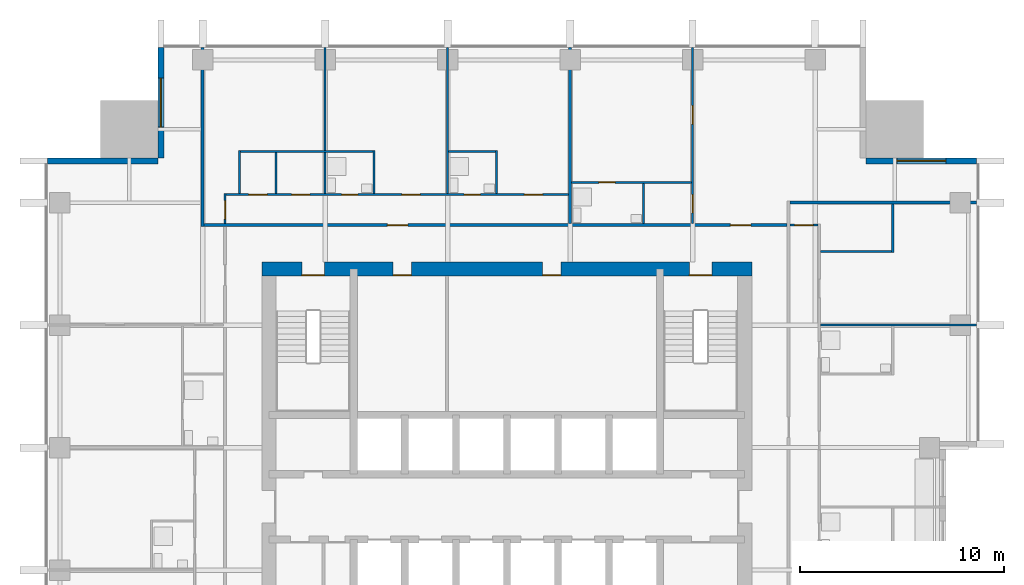
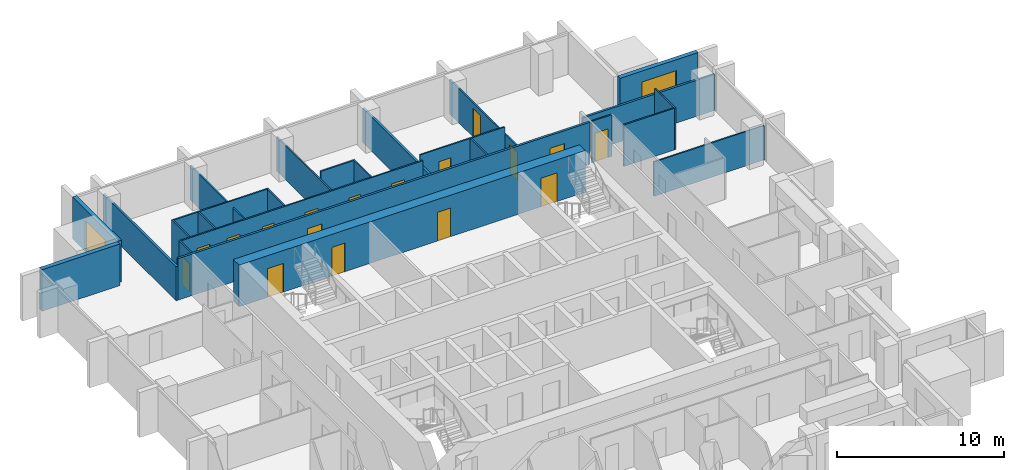
# One storey, part 7 of 10: 25 walls, 17 doors, 2 windows, 19 openings.
"""IFC4 building model written with IfcOpenShell, lengths in metres."""

from ifc_helpers import new_model, si_unit, direction, frame, frame_2d, origin, place, context, subcontext, project, spatial, rectangle, extrude, material, layer, layer_set, type_object, element, fill, save


model = new_model("IFC4")

# Units and contexts
model_context = context("Model", 3, precision=1e-05, world=origin(), true_north=direction((0.0, 1.0)))
body_context = subcontext(model_context, "Body", "Model", "MODEL_VIEW")
ifc_project = project(units=[si_unit("LENGTHUNIT", "METRE"), si_unit("AREAUNIT", "SQUARE_METRE"), si_unit("VOLUMEUNIT", "CUBIC_METRE"), si_unit("PLANEANGLEUNIT", "RADIAN"), si_unit("MASSUNIT", "GRAM", prefix="KILO")], contexts=[model_context])

# Site, building, storey
site_placement = place(None, origin())
site = spatial("IfcSite", under=ifc_project, at=site_placement, CompositionType="ELEMENT")
building_placement = place(site_placement, origin())
building = spatial("IfcBuilding", under=site, at=building_placement, Name="Amberfall Residences", CompositionType="ELEMENT")
storey_placement = place(building_placement, frame((0.0, 0.0, 140.5)))
storey = spatial("IfcBuildingStorey", under=building, at=storey_placement, Name="L37", CompositionType="ELEMENT", Elevation=140.5)

# Wall, opening, window
ifc_material_1 = material(Name="Pale stone cladding on insulated backing", Category="masonry")
ifc_layer_1 = layer(ifc_material_1, 0.300048828125)
ifc_layer_set_1 = layer_set([ifc_layer_1], Name="Bronze clad wall 300")
wall_type_1 = type_object("IfcWallType", Name="Bronze clad wall 300", PredefinedType="SOLIDWALL", material=ifc_layer_set_1)
wall_1_placement = place(storey_placement, frame((97.5, 62.449951171875, 0.0), z_axis=(0.0, 0.0, 1.0), x_axis=(-1.0, 0.0, 0.0)))
wall_1 = element("IfcWall", 1, at=wall_1_placement, inside=storey, type_object=wall_type_1, Name="External wall L37 NE", PredefinedType="SOLIDWALL", context=body_context, shape_type="SweptSolid", body=[
    extrude(rectangle(XDim=5.39990234375, YDim=0.300048828125, at=frame_2d((2.699951171875, 0.0))), origin(), (0.0, 0.0, 1.0), 3.050048828125),
])
opening_1_placement = place(wall_1_placement, frame((1.5, 0.0, 0.14990234375)))
opening_1 = element("IfcOpeningElement", 2, at=opening_1_placement, cuts=wall_1, Name="Opening WN5", PredefinedType="OPENING", context=body_context, shape_type="SweptSolid", body=[
    extrude(rectangle(XDim=2.39990234375, YDim=2.10009765625, at=frame_2d((1.199951171875, 1.050048828125))), frame((0.0, 0.159912109375, 0.0), z_axis=(0.0, -1.0, 0.0), x_axis=(1.0, 0.0, 0.0)), (0.0, 0.0, 1.0), 0.320068359375),
])
ifc_material_2 = material(Name="Bronze aluminium framed glazing", Category="aluminium")
window_type = type_object("IfcWindowType", Name="Glazed opening 2400 x 2100 bronze", PartitioningType="DOUBLE_PANEL_VERTICAL", PredefinedType="WINDOW", material=ifc_material_2)
window_1_placement = place(opening_1_placement, origin())
window_1 = element("IfcWindow", 3, at=window_1_placement, inside=storey, type_object=window_type, Name="Window L37 NE", OverallHeight=2.10009765625, OverallWidth=2.39990234375, PartitioningType="DOUBLE_PANEL_VERTICAL", PredefinedType="WINDOW", context=body_context, shape_type="SweptSolid", body=[
    extrude(rectangle(XDim=2.39990234375, YDim=2.10009765625, at=frame_2d((1.199951171875, 1.050048828125))), frame((0.0, 0.030029296875, 0.0), z_axis=(0.0, -1.0, 0.0), x_axis=(1.0, 0.0, 0.0)), (0.0, 0.0, 1.0), 0.06005859375),
])
fill(opening_1, window_1)

wall_2_placement = place(storey_placement, frame((57.550048828125, 68.0, 0.0), z_axis=(0.0, 0.0, 1.0), x_axis=(0.0, -1.0, 0.0)))
wall_2 = element("IfcWall", 4, at=wall_2_placement, inside=storey, type_object=wall_type_1, Name="External wall L37 NW", PredefinedType="SOLIDWALL", context=body_context, shape_type="SweptSolid", body=[
    extrude(rectangle(XDim=5.39990234375, YDim=0.300048828125, at=frame_2d((2.699951171875, 0.0))), origin(), (0.0, 0.0, 1.0), 3.050048828125),
])
opening_2_placement = place(wall_2_placement, frame((1.5, 0.0, 0.14990234375)))
opening_2 = element("IfcOpeningElement", 5, at=opening_2_placement, cuts=wall_2, Name="Opening WN5", PredefinedType="OPENING", context=body_context, shape_type="SweptSolid", body=[
    extrude(rectangle(XDim=2.39990234375, YDim=2.10009765625, at=frame_2d((1.199951171875, 1.050048828125))), frame((0.0, 0.159912109375, 0.0), z_axis=(0.0, -1.0, 0.0), x_axis=(1.0, 0.0, 0.0)), (0.0, 0.0, 1.0), 0.320068359375),
])
window_2_placement = place(opening_2_placement, origin())
window_2 = element("IfcWindow", 6, at=window_2_placement, inside=storey, type_object=window_type, Name="Window L37 NW", OverallHeight=2.10009765625, OverallWidth=2.39990234375, PartitioningType="DOUBLE_PANEL_VERTICAL", PredefinedType="WINDOW", context=body_context, shape_type="SweptSolid", body=[
    extrude(rectangle(XDim=2.39990234375, YDim=2.10009765625, at=frame_2d((1.199951171875, 1.050048828125))), frame((0.0, 0.030029296875, 0.0), z_axis=(0.0, -1.0, 0.0), x_axis=(1.0, 0.0, 0.0)), (0.0, 0.0, 1.0), 0.06005859375),
])
fill(opening_2, window_2)

# Wall
wall_3_placement = place(storey_placement, frame((57.39990234375, 62.449951171875, 0.0), z_axis=(0.0, 0.0, 1.0), x_axis=(-1.0, 0.0, 0.0)))
element("IfcWall", 7, at=wall_3_placement, inside=storey, type_object=wall_type_1, Name="External wall L37 NW", PredefinedType="SOLIDWALL", context=body_context, shape_type="SweptSolid", body=[
    extrude(rectangle(XDim=5.39990234375, YDim=0.300048828125, at=frame_2d((2.699951171875, 0.0))), origin(), (0.0, 0.0, 1.0), 3.050048828125),
])

# Wall, openings, doors
ifc_material_3 = material(Name="Concrete C60", Category="concrete")
ifc_layer_2 = layer(ifc_material_3, 0.699951171875)
ifc_layer_set_2 = layer_set([ifc_layer_2], Name="Core wall 700 C60")
wall_type_2 = type_object("IfcWallType", Name="Core wall 700 C60", PredefinedType="SHEAR", material=ifc_layer_set_2)
wall_4_placement = place(storey_placement, frame((62.5, 57.14990234375, 0.0), z_axis=(0.0, 0.0, 1.0), x_axis=(1.0, 0.0, 0.0)))
wall_4 = element("IfcWall", 8, at=wall_4_placement, inside=storey, type_object=wall_type_2, Name="Core wall RW5 L37 ON", PredefinedType="SHEAR", context=body_context, shape_type="SweptSolid", body=[
    extrude(rectangle(XDim=24.0, YDim=0.699951171875, at=frame_2d((12.0, 0.0))), origin(), (0.0, 0.0, 1.0), 3.050048828125),
])
opening_3_placement = place(wall_4_placement, frame((20.9375, 0.0, 0.0)))
opening_3 = element("IfcOpeningElement", 9, at=opening_3_placement, cuts=wall_4, Name="Opening SD1", PredefinedType="OPENING", context=body_context, shape_type="SweptSolid", body=[
    extrude(rectangle(XDim=1.10009765625, YDim=2.10009765625, at=frame_2d((0.550048828125, 1.050048828125))), frame((0.0, 0.35986328125, 0.0), z_axis=(0.0, -1.0, 0.0), x_axis=(1.0, 0.0, 0.0)), (0.0, 0.0, 1.0), 0.719970703125),
])
opening_4_placement = place(wall_4_placement, frame((1.96240234375, 0.0, 0.0)))
opening_4 = element("IfcOpeningElement", 10, at=opening_4_placement, cuts=wall_4, Name="Opening SD1", PredefinedType="OPENING", context=body_context, shape_type="SweptSolid", body=[
    extrude(rectangle(XDim=1.10009765625, YDim=2.10009765625, at=frame_2d((0.550048828125, 1.050048828125))), frame((0.0, 0.35986328125, 0.0), z_axis=(0.0, -1.0, 0.0), x_axis=(1.0, 0.0, 0.0)), (0.0, 0.0, 1.0), 0.719970703125),
])
opening_5_placement = place(wall_4_placement, frame((6.422607421875, 0.0, 0.0)))
opening_5 = element("IfcOpeningElement", 11, at=opening_5_placement, cuts=wall_4, Name="Opening RD1", PredefinedType="OPENING", context=body_context, shape_type="SweptSolid", body=[
    extrude(rectangle(XDim=0.89990234375, YDim=2.10009765625, at=frame_2d((0.449951171875, 1.050048828125))), frame((0.0, 0.35986328125, 0.0), z_axis=(0.0, -1.0, 0.0), x_axis=(1.0, 0.0, 0.0)), (0.0, 0.0, 1.0), 0.719970703125),
])
opening_6_placement = place(wall_4_placement, frame((13.74755859375, 0.0, 0.0)))
opening_6 = element("IfcOpeningElement", 12, at=opening_6_placement, cuts=wall_4, Name="Opening RD1", PredefinedType="OPENING", context=body_context, shape_type="SweptSolid", body=[
    extrude(rectangle(XDim=0.89990234375, YDim=2.10009765625, at=frame_2d((0.449951171875, 1.050048828125))), frame((0.0, 0.35986328125, 0.0), z_axis=(0.0, -1.0, 0.0), x_axis=(1.0, 0.0, 0.0)), (0.0, 0.0, 1.0), 0.719970703125),
])
ifc_material_4 = material(Name="Steel fire door set", Category="steel")
door_type_1 = type_object("IfcDoorType", Name="Service room door 900 x 2100", OperationType="SINGLE_SWING_LEFT", PredefinedType="DOOR", material=ifc_material_4)
door_1_placement = place(opening_5_placement, origin())
door_1 = element("IfcDoor", 13, at=door_1_placement, inside=storey, type_object=door_type_1, Name="RD1 L37", OperationType="SINGLE_SWING_RIGHT", OverallHeight=2.10009765625, OverallWidth=0.89990234375, PredefinedType="DOOR", context=body_context, shape_type="SweptSolid", body=[
    extrude(rectangle(XDim=0.89990234375, YDim=2.10009765625, at=frame_2d((0.449951171875, 1.050048828125))), frame((0.0, -0.28759765625, 0.0), z_axis=(0.0, -1.0, 0.0), x_axis=(1.0, 0.0, 0.0)), (0.0, 0.0, 1.0), 0.050048828125),
])
fill(opening_5, door_1)
door_2_placement = place(opening_6_placement, origin())
door_2 = element("IfcDoor", 14, at=door_2_placement, inside=storey, type_object=door_type_1, Name="RD1 L37", OperationType="SINGLE_SWING_RIGHT", OverallHeight=2.10009765625, OverallWidth=0.89990234375, PredefinedType="DOOR", context=body_context, shape_type="SweptSolid", body=[
    extrude(rectangle(XDim=0.89990234375, YDim=2.10009765625, at=frame_2d((0.449951171875, 1.050048828125))), frame((0.0, -0.28759765625, 0.0), z_axis=(0.0, -1.0, 0.0), x_axis=(1.0, 0.0, 0.0)), (0.0, 0.0, 1.0), 0.050048828125),
])
fill(opening_6, door_2)
door_type_2 = type_object("IfcDoorType", Name="Stair door 1100 x 2100", OperationType="SINGLE_SWING_LEFT", PredefinedType="DOOR", material=ifc_material_4)
door_3_placement = place(opening_3_placement, origin())
door_3 = element("IfcDoor", 15, at=door_3_placement, inside=storey, type_object=door_type_2, Name="SD1 L37", OperationType="SINGLE_SWING_RIGHT", OverallHeight=2.10009765625, OverallWidth=1.10009765625, PredefinedType="DOOR", context=body_context, shape_type="SweptSolid", body=[
    extrude(rectangle(XDim=1.10009765625, YDim=2.10009765625, at=frame_2d((0.550048828125, 1.050048828125))), frame((0.0, -0.28759765625, 0.0), z_axis=(0.0, -1.0, 0.0), x_axis=(1.0, 0.0, 0.0)), (0.0, 0.0, 1.0), 0.050048828125),
])
fill(opening_3, door_3)
door_4_placement = place(opening_4_placement, origin())
door_4 = element("IfcDoor", 16, at=door_4_placement, inside=storey, type_object=door_type_2, Name="SD1 L37", OperationType="SINGLE_SWING_LEFT", OverallHeight=2.10009765625, OverallWidth=1.10009765625, PredefinedType="DOOR", context=body_context, shape_type="SweptSolid", body=[
    extrude(rectangle(XDim=1.10009765625, YDim=2.10009765625, at=frame_2d((0.550048828125, 1.050048828125))), frame((0.0, -0.28759765625, 0.0), z_axis=(0.0, -1.0, 0.0), x_axis=(1.0, 0.0, 0.0)), (0.0, 0.0, 1.0), 0.050048828125),
])
fill(opening_4, door_4)

# Wall, opening, door
ifc_material_5 = material(Name="Gypsum board on metal stud")
ifc_layer_3 = layer(ifc_material_5, 0.10009765625)
ifc_layer_set_3 = layer_set([ifc_layer_3], Name="Flat partition 100")
wall_type_3 = type_object("IfcWallType", Name="Flat partition 100", PredefinedType="PARTITIONING", material=ifc_layer_set_3)
wall_5_placement = place(storey_placement, frame((60.699951171875, 60.85009765625, 0.0), z_axis=(0.0, 0.0, 1.0), x_axis=(0.0, -1.0, 0.0)))
wall_5 = element("IfcWall", 17, at=wall_5_placement, inside=storey, type_object=wall_type_3, Name="Partition 005", PredefinedType="PARTITIONING", context=body_context, shape_type="SweptSolid", body=[
    extrude(rectangle(XDim=1.47509765625, YDim=0.10009765625, at=frame_2d((0.737548828125, 0.0))), origin(), (0.0, 0.0, 1.0), 3.050048828125),
])
opening_7_placement = place(wall_5_placement, frame((0.35009765625, 0.0, 0.0)))
opening_7 = element("IfcOpeningElement", 18, at=opening_7_placement, cuts=wall_5, Name="Opening D41", PredefinedType="OPENING", context=body_context, shape_type="SweptSolid", body=[
    extrude(rectangle(XDim=0.89990234375, YDim=2.10009765625, at=frame_2d((0.449951171875, 1.050048828125))), frame((0.0, 0.06005859375, 0.0), z_axis=(0.0, -1.0, 0.0), x_axis=(1.0, 0.0, 0.0)), (0.0, 0.0, 1.0), 0.1201171875),
])
ifc_material_6 = material(Name="Timber", Category="wood")
door_type_3 = type_object("IfcDoorType", Name="Internal door 900 x 2100", OperationType="SINGLE_SWING_LEFT", PredefinedType="DOOR", material=ifc_material_6)
door_5_placement = place(opening_7_placement, origin())
door_5 = element("IfcDoor", 19, at=door_5_placement, inside=storey, type_object=door_type_3, Name="Door 3705 living", OperationType="SINGLE_SWING_LEFT", OverallHeight=2.10009765625, OverallWidth=0.89990234375, PredefinedType="DOOR", context=body_context, shape_type="SweptSolid", body=[
    extrude(rectangle(XDim=0.89990234375, YDim=2.10009765625, at=frame_2d((0.449951171875, 1.050048828125))), frame((0.0, 0.02490234375, 0.0), z_axis=(0.0, -1.0, 0.0), x_axis=(1.0, 0.0, 0.0)), (0.0, 0.0, 1.0), 0.050048828125),
])
fill(opening_7, door_5)

# Walls
wall_6_placement = place(storey_placement, frame((61.39990234375, 60.85009765625, 0.0), z_axis=(0.0, 0.0, 1.0), x_axis=(0.0, 1.0, 0.0)))
element("IfcWall", 20, at=wall_6_placement, inside=storey, type_object=wall_type_3, Name="Partition 006", PredefinedType="PARTITIONING", context=body_context, shape_type="SweptSolid", body=[
    extrude(rectangle(XDim=2.099853515625, YDim=0.10009765625, at=frame_2d((1.0498046875, 0.0))), origin(), (0.0, 0.0, 1.0), 3.050048828125),
])
wall_7_placement = place(storey_placement, frame((63.199951171875, 60.85009765625, 0.0), z_axis=(0.0, 0.0, 1.0), x_axis=(0.0, 1.0, 0.0)))
element("IfcWall", 21, at=wall_7_placement, inside=storey, type_object=wall_type_3, Name="Partition 007", PredefinedType="PARTITIONING", context=body_context, shape_type="SweptSolid", body=[
    extrude(rectangle(XDim=2.0, YDim=0.10009765625, at=frame_2d((1.0, 0.0))), origin(), (0.0, 0.0, 1.0), 3.050048828125),
])
wall_8_placement = place(storey_placement, frame((65.60009765625, 60.85009765625, 0.0), z_axis=(0.0, 0.0, 1.0), x_axis=(0.0, 1.0, 0.0)))
element("IfcWall", 22, at=wall_8_placement, inside=storey, type_object=wall_type_3, Name="Partition 009", PredefinedType="PARTITIONING", context=body_context, shape_type="SweptSolid", body=[
    extrude(rectangle(XDim=7.14990234375, YDim=0.10009765625, at=frame_2d((3.574951171875, 0.0))), origin(), (0.0, 0.0, 1.0), 2.51611328125),
])
wall_9_placement = place(storey_placement, frame((68.0, 60.85009765625, 0.0), z_axis=(0.0, 0.0, 1.0), x_axis=(0.0, 1.0, 0.0)))
element("IfcWall", 23, at=wall_9_placement, inside=storey, type_object=wall_type_3, Name="Partition 011", PredefinedType="PARTITIONING", context=body_context, shape_type="SweptSolid", body=[
    extrude(rectangle(XDim=2.099853515625, YDim=0.10009765625, at=frame_2d((1.0498046875, 0.0))), origin(), (0.0, 0.0, 1.0), 3.050048828125),
])
wall_10_placement = place(storey_placement, frame((71.60009765625, 60.85009765625, 0.0), z_axis=(0.0, 0.0, 1.0), x_axis=(0.0, 1.0, 0.0)))
element("IfcWall", 24, at=wall_10_placement, inside=storey, type_object=wall_type_3, Name="Partition 012", PredefinedType="PARTITIONING", context=body_context, shape_type="SweptSolid", body=[
    extrude(rectangle(XDim=7.14990234375, YDim=0.10009765625, at=frame_2d((3.574951171875, 0.0))), origin(), (0.0, 0.0, 1.0), 2.51611328125),
])
wall_11_placement = place(storey_placement, frame((74.0, 60.85009765625, 0.0), z_axis=(0.0, 0.0, 1.0), x_axis=(0.0, 1.0, 0.0)))
element("IfcWall", 25, at=wall_11_placement, inside=storey, type_object=wall_type_3, Name="Partition 013", PredefinedType="PARTITIONING", context=body_context, shape_type="SweptSolid", body=[
    extrude(rectangle(XDim=2.099853515625, YDim=0.10009765625, at=frame_2d((1.0498046875, 0.0))), origin(), (0.0, 0.0, 1.0), 3.050048828125),
])
wall_12_placement = place(storey_placement, frame((81.199951171875, 59.375, 0.0), z_axis=(0.0, 0.0, 1.0), x_axis=(0.0, 1.0, 0.0)))
element("IfcWall", 26, at=wall_12_placement, inside=storey, type_object=wall_type_3, Name="Partition 017", PredefinedType="PARTITIONING", context=body_context, shape_type="SweptSolid", body=[
    extrude(rectangle(XDim=1.97509765625, YDim=0.10009765625, at=frame_2d((0.987548828125, 0.0))), origin(), (0.0, 0.0, 1.0), 3.050048828125),
])

# Wall, openings, doors
wall_13_placement = place(storey_placement, frame((83.60009765625, 59.375, 0.0), z_axis=(0.0, 0.0, 1.0), x_axis=(0.0, 1.0, 0.0)))
wall_13 = element("IfcWall", 27, at=wall_13_placement, inside=storey, type_object=wall_type_3, Name="Partition 018", PredefinedType="PARTITIONING", context=body_context, shape_type="SweptSolid", body=[
    extrude(rectangle(XDim=8.625, YDim=0.10009765625, at=frame_2d((4.3125, 0.0))), origin(), (0.0, 0.0, 1.0), 2.51611328125),
])
opening_8_placement = place(wall_13_placement, frame((0.52490234375, 0.0, 0.0)))
opening_8 = element("IfcOpeningElement", 28, at=opening_8_placement, cuts=wall_13, Name="Opening D41", PredefinedType="OPENING", context=body_context, shape_type="SweptSolid", body=[
    extrude(rectangle(XDim=0.89990234375, YDim=2.10009765625, at=frame_2d((0.449951171875, 1.050048828125))), frame((0.0, 0.06005859375, 0.0), z_axis=(0.0, -1.0, 0.0), x_axis=(1.0, 0.0, 0.0)), (0.0, 0.0, 1.0), 0.1201171875),
])
opening_9_placement = place(wall_13_placement, frame((4.875, 0.0, 0.0)))
opening_9 = element("IfcOpeningElement", 29, at=opening_9_placement, cuts=wall_13, Name="Opening D41", PredefinedType="OPENING", context=body_context, shape_type="SweptSolid", body=[
    extrude(rectangle(XDim=0.89990234375, YDim=2.10009765625, at=frame_2d((0.449951171875, 1.050048828125))), frame((0.0, 0.06005859375, 0.0), z_axis=(0.0, -1.0, 0.0), x_axis=(1.0, 0.0, 0.0)), (0.0, 0.0, 1.0), 0.1201171875),
])
door_6_placement = place(opening_8_placement, origin())
door_6 = element("IfcDoor", 30, at=door_6_placement, inside=storey, type_object=door_type_3, Name="Door 3706 kitchen", OperationType="SINGLE_SWING_LEFT", OverallHeight=2.10009765625, OverallWidth=0.89990234375, PredefinedType="DOOR", context=body_context, shape_type="SweptSolid", body=[
    extrude(rectangle(XDim=0.89990234375, YDim=2.10009765625, at=frame_2d((0.449951171875, 1.050048828125))), frame((0.0, 0.02490234375, 0.0), z_axis=(0.0, -1.0, 0.0), x_axis=(1.0, 0.0, 0.0)), (0.0, 0.0, 1.0), 0.050048828125),
])
fill(opening_8, door_6)
door_7_placement = place(opening_9_placement, origin())
door_7 = element("IfcDoor", 31, at=door_7_placement, inside=storey, type_object=door_type_3, Name="Door 3706 bedroom1", OperationType="SINGLE_SWING_LEFT", OverallHeight=2.10009765625, OverallWidth=0.89990234375, PredefinedType="DOOR", context=body_context, shape_type="SweptSolid", body=[
    extrude(rectangle(XDim=0.89990234375, YDim=2.10009765625, at=frame_2d((0.449951171875, 1.050048828125))), frame((0.0, 0.02490234375, 0.0), z_axis=(0.0, -1.0, 0.0), x_axis=(1.0, 0.0, 0.0)), (0.0, 0.0, 1.0), 0.050048828125),
])
fill(opening_9, door_7)

# Walls
wall_14_placement = place(storey_placement, frame((93.39990234375, 57.949951171875, 0.0), z_axis=(0.0, 0.0, 1.0), x_axis=(0.0, 1.0, 0.0)))
element("IfcWall", 32, at=wall_14_placement, inside=storey, type_object=wall_type_3, Name="Partition 025", PredefinedType="PARTITIONING", context=body_context, shape_type="SweptSolid", body=[
    extrude(rectangle(XDim=2.375, YDim=0.10009765625, at=frame_2d((1.1875, 0.0))), origin(), (0.0, 0.0, 1.0), 3.050048828125),
])
wall_15_placement = place(storey_placement, frame((61.449951171875, 62.89990234375, 0.0), z_axis=(0.0, 0.0, 1.0), x_axis=(1.0, 0.0, 0.0)))
element("IfcWall", 33, at=wall_15_placement, inside=storey, type_object=wall_type_3, Name="Partition 026", PredefinedType="PARTITIONING", context=body_context, shape_type="SweptSolid", body=[
    extrude(rectangle(XDim=6.5, YDim=0.10009765625, at=frame_2d((3.25, 0.0))), origin(), (0.0, 0.0, 1.0), 3.050048828125),
])
wall_16_placement = place(storey_placement, frame((71.64990234375, 62.89990234375, 0.0), z_axis=(0.0, 0.0, 1.0), x_axis=(1.0, 0.0, 0.0)))
element("IfcWall", 34, at=wall_16_placement, inside=storey, type_object=wall_type_3, Name="Partition 027", PredefinedType="PARTITIONING", context=body_context, shape_type="SweptSolid", body=[
    extrude(rectangle(XDim=2.300048828125, YDim=0.10009765625, at=frame_2d((1.14990234375, 0.0))), origin(), (0.0, 0.0, 1.0), 3.050048828125),
])

# Wall, opening, door
wall_17_placement = place(storey_placement, frame((83.550048828125, 61.39990234375, 0.0), z_axis=(0.0, 0.0, 1.0), x_axis=(-1.0, 0.0, 0.0)))
wall_17 = element("IfcWall", 35, at=wall_17_placement, inside=storey, type_object=wall_type_3, Name="Partition 028", PredefinedType="PARTITIONING", context=body_context, shape_type="SweptSolid", body=[
    extrude(rectangle(XDim=5.875, YDim=0.10009765625, at=frame_2d((2.9375, 0.0))), origin(), (0.0, 0.0, 1.0), 3.050048828125),
])
opening_10_placement = place(wall_17_placement, frame((3.75, 0.0, 0.0)))
opening_10 = element("IfcOpeningElement", 36, at=opening_10_placement, cuts=wall_17, Name="Opening D42", PredefinedType="OPENING", context=body_context, shape_type="SweptSolid", body=[
    extrude(rectangle(XDim=0.800048828125, YDim=2.10009765625, at=frame_2d((0.39990234375, 1.050048828125))), frame((0.0, 0.06005859375, 0.0), z_axis=(0.0, -1.0, 0.0), x_axis=(1.0, 0.0, 0.0)), (0.0, 0.0, 1.0), 0.1201171875),
])
door_type_4 = type_object("IfcDoorType", Name="Bathroom door 800 x 2100", OperationType="SINGLE_SWING_LEFT", PredefinedType="DOOR", material=ifc_material_6)
door_8_placement = place(opening_10_placement, origin())
door_8 = element("IfcDoor", 37, at=door_8_placement, inside=storey, type_object=door_type_4, Name="Door 3706 bath1", OperationType="SINGLE_SWING_LEFT", OverallHeight=2.10009765625, OverallWidth=0.800048828125, PredefinedType="DOOR", context=body_context, shape_type="SweptSolid", body=[
    extrude(rectangle(XDim=0.800048828125, YDim=2.10009765625, at=frame_2d((0.39990234375, 1.050048828125))), frame((0.0, 0.02490234375, 0.0), z_axis=(0.0, -1.0, 0.0), x_axis=(1.0, 0.0, 0.0)), (0.0, 0.0, 1.0), 0.050048828125),
])
fill(opening_10, door_8)

# Wall, openings, doors
wall_18_placement = place(storey_placement, frame((60.75, 60.800048828125, 0.0), z_axis=(0.0, 0.0, 1.0), x_axis=(1.0, 0.0, 0.0)))
wall_18 = element("IfcWall", 38, at=wall_18_placement, inside=storey, type_object=wall_type_3, Name="Partition 029", PredefinedType="PARTITIONING", context=body_context, shape_type="SweptSolid", body=[
    extrude(rectangle(XDim=16.77490234375, YDim=0.10009765625, at=frame_2d((8.387451171875, 0.0))), origin(), (0.0, 0.0, 1.0), 3.050048828125),
])
opening_11_placement = place(wall_18_placement, frame((3.199951171875, 0.0, 0.0)))
opening_11 = element("IfcOpeningElement", 39, at=opening_11_placement, cuts=wall_18, Name="Opening D41", PredefinedType="OPENING", context=body_context, shape_type="SweptSolid", body=[
    extrude(rectangle(XDim=0.89990234375, YDim=2.10009765625, at=frame_2d((0.449951171875, 1.050048828125))), frame((0.0, 0.06005859375, 0.0), z_axis=(0.0, -1.0, 0.0), x_axis=(1.0, 0.0, 0.0)), (0.0, 0.0, 1.0), 0.1201171875),
])
opening_12_placement = place(wall_18_placement, frame((1.10009765625, 0.0, 0.0)))
opening_12 = element("IfcOpeningElement", 40, at=opening_12_placement, cuts=wall_18, Name="Opening D41", PredefinedType="OPENING", context=body_context, shape_type="SweptSolid", body=[
    extrude(rectangle(XDim=0.89990234375, YDim=2.10009765625, at=frame_2d((0.449951171875, 1.050048828125))), frame((0.0, 0.06005859375, 0.0), z_axis=(0.0, -1.0, 0.0), x_axis=(1.0, 0.0, 0.0)), (0.0, 0.0, 1.0), 0.1201171875),
])
opening_13_placement = place(wall_18_placement, frame((8.60009765625, 0.0, 0.0)))
opening_13 = element("IfcOpeningElement", 41, at=opening_13_placement, cuts=wall_18, Name="Opening D41", PredefinedType="OPENING", context=body_context, shape_type="SweptSolid", body=[
    extrude(rectangle(XDim=0.89990234375, YDim=2.10009765625, at=frame_2d((0.449951171875, 1.050048828125))), frame((0.0, 0.06005859375, 0.0), z_axis=(0.0, -1.0, 0.0), x_axis=(1.0, 0.0, 0.0)), (0.0, 0.0, 1.0), 0.1201171875),
])
opening_14_placement = place(wall_18_placement, frame((14.60009765625, 0.0, 0.0)))
opening_14 = element("IfcOpeningElement", 42, at=opening_14_placement, cuts=wall_18, Name="Opening D41", PredefinedType="OPENING", context=body_context, shape_type="SweptSolid", body=[
    extrude(rectangle(XDim=0.89990234375, YDim=2.10009765625, at=frame_2d((0.449951171875, 1.050048828125))), frame((0.0, 0.06005859375, 0.0), z_axis=(0.0, -1.0, 0.0), x_axis=(1.0, 0.0, 0.0)), (0.0, 0.0, 1.0), 0.1201171875),
])
opening_15_placement = place(wall_18_placement, frame((5.64990234375, 0.0, 0.0)))
opening_15 = element("IfcOpeningElement", 43, at=opening_15_placement, cuts=wall_18, Name="Opening D42", PredefinedType="OPENING", context=body_context, shape_type="SweptSolid", body=[
    extrude(rectangle(XDim=0.800048828125, YDim=2.10009765625, at=frame_2d((0.39990234375, 1.050048828125))), frame((0.0, 0.06005859375, 0.0), z_axis=(0.0, -1.0, 0.0), x_axis=(1.0, 0.0, 0.0)), (0.0, 0.0, 1.0), 0.1201171875),
])
opening_16_placement = place(wall_18_placement, frame((11.64990234375, 0.0, 0.0)))
opening_16 = element("IfcOpeningElement", 44, at=opening_16_placement, cuts=wall_18, Name="Opening D42", PredefinedType="OPENING", context=body_context, shape_type="SweptSolid", body=[
    extrude(rectangle(XDim=0.800048828125, YDim=2.10009765625, at=frame_2d((0.39990234375, 1.050048828125))), frame((0.0, 0.06005859375, 0.0), z_axis=(0.0, -1.0, 0.0), x_axis=(1.0, 0.0, 0.0)), (0.0, 0.0, 1.0), 0.1201171875),
])
door_9_placement = place(opening_15_placement, origin())
door_9 = element("IfcDoor", 45, at=door_9_placement, inside=storey, type_object=door_type_4, Name="Door 3705 bath1", OperationType="SINGLE_SWING_LEFT", OverallHeight=2.10009765625, OverallWidth=0.800048828125, PredefinedType="DOOR", context=body_context, shape_type="SweptSolid", body=[
    extrude(rectangle(XDim=0.800048828125, YDim=2.10009765625, at=frame_2d((0.39990234375, 1.050048828125))), frame((0.0, 0.02490234375, 0.0), z_axis=(0.0, -1.0, 0.0), x_axis=(1.0, 0.0, 0.0)), (0.0, 0.0, 1.0), 0.050048828125),
])
fill(opening_15, door_9)
door_10_placement = place(opening_16_placement, origin())
door_10 = element("IfcDoor", 46, at=door_10_placement, inside=storey, type_object=door_type_4, Name="Door 3705 bath2", OperationType="SINGLE_SWING_LEFT", OverallHeight=2.10009765625, OverallWidth=0.800048828125, PredefinedType="DOOR", context=body_context, shape_type="SweptSolid", body=[
    extrude(rectangle(XDim=0.800048828125, YDim=2.10009765625, at=frame_2d((0.39990234375, 1.050048828125))), frame((0.0, 0.02490234375, 0.0), z_axis=(0.0, -1.0, 0.0), x_axis=(1.0, 0.0, 0.0)), (0.0, 0.0, 1.0), 0.050048828125),
])
fill(opening_16, door_10)
door_11_placement = place(opening_11_placement, origin())
door_11 = element("IfcDoor", 47, at=door_11_placement, inside=storey, type_object=door_type_3, Name="Door 3705 kitchen", OperationType="SINGLE_SWING_LEFT", OverallHeight=2.10009765625, OverallWidth=0.89990234375, PredefinedType="DOOR", context=body_context, shape_type="SweptSolid", body=[
    extrude(rectangle(XDim=0.89990234375, YDim=2.10009765625, at=frame_2d((0.449951171875, 1.050048828125))), frame((0.0, 0.02490234375, 0.0), z_axis=(0.0, -1.0, 0.0), x_axis=(1.0, 0.0, 0.0)), (0.0, 0.0, 1.0), 0.050048828125),
])
fill(opening_11, door_11)
door_12_placement = place(opening_12_placement, origin())
door_12 = element("IfcDoor", 48, at=door_12_placement, inside=storey, type_object=door_type_3, Name="Door 3705 utility", OperationType="SINGLE_SWING_LEFT", OverallHeight=2.10009765625, OverallWidth=0.89990234375, PredefinedType="DOOR", context=body_context, shape_type="SweptSolid", body=[
    extrude(rectangle(XDim=0.89990234375, YDim=2.10009765625, at=frame_2d((0.449951171875, 1.050048828125))), frame((0.0, 0.02490234375, 0.0), z_axis=(0.0, -1.0, 0.0), x_axis=(1.0, 0.0, 0.0)), (0.0, 0.0, 1.0), 0.050048828125),
])
fill(opening_12, door_12)
door_13_placement = place(opening_13_placement, origin())
door_13 = element("IfcDoor", 49, at=door_13_placement, inside=storey, type_object=door_type_3, Name="Door 3705 bedroom1", OperationType="SINGLE_SWING_LEFT", OverallHeight=2.10009765625, OverallWidth=0.89990234375, PredefinedType="DOOR", context=body_context, shape_type="SweptSolid", body=[
    extrude(rectangle(XDim=0.89990234375, YDim=2.10009765625, at=frame_2d((0.449951171875, 1.050048828125))), frame((0.0, 0.02490234375, 0.0), z_axis=(0.0, -1.0, 0.0), x_axis=(1.0, 0.0, 0.0)), (0.0, 0.0, 1.0), 0.050048828125),
])
fill(opening_13, door_13)
door_14_placement = place(opening_14_placement, origin())
door_14 = element("IfcDoor", 50, at=door_14_placement, inside=storey, type_object=door_type_3, Name="Door 3705 bedroom2", OperationType="SINGLE_SWING_LEFT", OverallHeight=2.10009765625, OverallWidth=0.89990234375, PredefinedType="DOOR", context=body_context, shape_type="SweptSolid", body=[
    extrude(rectangle(XDim=0.89990234375, YDim=2.10009765625, at=frame_2d((0.449951171875, 1.050048828125))), frame((0.0, 0.02490234375, 0.0), z_axis=(0.0, -1.0, 0.0), x_axis=(1.0, 0.0, 0.0)), (0.0, 0.0, 1.0), 0.050048828125),
])
fill(opening_14, door_14)

# Wall, opening, door
wall_19_placement = place(storey_placement, frame((89.75, 59.300048828125, 0.0), z_axis=(0.0, 0.0, 1.0), x_axis=(-1.0, 0.0, 0.0)))
wall_19 = element("IfcWall", 51, at=wall_19_placement, inside=storey, type_object=wall_type_3, Name="Partition 030", PredefinedType="PARTITIONING", context=body_context, shape_type="SweptSolid", body=[
    extrude(rectangle(XDim=1.375, YDim=0.10009765625, at=frame_2d((0.6875, 0.0))), origin(), (0.0, 0.0, 1.0), 3.050048828125),
])
opening_17_placement = place(wall_19_placement, frame((0.25, 0.0, 0.0)))
opening_17 = element("IfcOpeningElement", 52, at=opening_17_placement, cuts=wall_19, Name="Opening D41", PredefinedType="OPENING", context=body_context, shape_type="SweptSolid", body=[
    extrude(rectangle(XDim=0.89990234375, YDim=2.10009765625, at=frame_2d((0.449951171875, 1.050048828125))), frame((0.0, 0.06005859375, 0.0), z_axis=(0.0, -1.0, 0.0), x_axis=(1.0, 0.0, 0.0)), (0.0, 0.0, 1.0), 0.1201171875),
])
door_15_placement = place(opening_17_placement, origin())
door_15 = element("IfcDoor", 53, at=door_15_placement, inside=storey, type_object=door_type_3, Name="Door 3704 kitchen", OperationType="SINGLE_SWING_LEFT", OverallHeight=2.10009765625, OverallWidth=0.89990234375, PredefinedType="DOOR", context=body_context, shape_type="SweptSolid", body=[
    extrude(rectangle(XDim=0.89990234375, YDim=2.10009765625, at=frame_2d((0.449951171875, 1.050048828125))), frame((0.0, 0.02490234375, 0.0), z_axis=(0.0, -1.0, 0.0), x_axis=(1.0, 0.0, 0.0)), (0.0, 0.0, 1.0), 0.050048828125),
])
fill(opening_17, door_15)

# Walls
wall_20_placement = place(storey_placement, frame((89.85009765625, 58.0, 0.0), z_axis=(0.0, 0.0, 1.0), x_axis=(1.0, 0.0, 0.0)))
element("IfcWall", 54, at=wall_20_placement, inside=storey, type_object=wall_type_3, Name="Partition 031", PredefinedType="PARTITIONING", context=body_context, shape_type="SweptSolid", body=[
    extrude(rectangle(XDim=3.5, YDim=0.10009765625, at=frame_2d((1.75, 0.0))), origin(), (0.0, 0.0, 1.0), 3.050048828125),
])
wall_21_placement = place(storey_placement, frame((89.85009765625, 54.39990234375, 0.0), z_axis=(0.0, 0.0, 1.0), x_axis=(1.0, 0.0, 0.0)))
element("IfcWall", 55, at=wall_21_placement, inside=storey, type_object=wall_type_3, Name="Partition 033", PredefinedType="PARTITIONING", context=body_context, shape_type="SweptSolid", body=[
    extrude(rectangle(XDim=7.64990234375, YDim=0.10009765625, at=frame_2d((3.824951171875, 0.0))), origin(), (0.0, 0.0, 1.0), 2.51611328125),
])
ifc_material_7 = material(Name="Blockwork, plastered", Category="masonry")
ifc_layer_4 = layer(ifc_material_7, 0.14990234375)
ifc_layer_set_4 = layer_set([ifc_layer_4], Name="Flat separating wall 150")
wall_type_4 = type_object("IfcWallType", Name="Flat separating wall 150", PredefinedType="PARTITIONING", material=ifc_layer_set_4)
wall_22_placement = place(storey_placement, frame((59.60009765625, 59.22509765625, 0.0), z_axis=(0.0, 0.0, 1.0), x_axis=(0.0, 1.0, 0.0)))
element("IfcWall", 56, at=wall_22_placement, inside=storey, type_object=wall_type_4, Name="Separating wall 050", PredefinedType="PARTITIONING", context=body_context, shape_type="SweptSolid", body=[
    extrude(rectangle(XDim=8.77490234375, YDim=0.14990234375, at=frame_2d((4.387451171875, 0.0))), origin(), (0.0, 0.0, 1.0), 2.510009765625),
])
wall_23_placement = place(storey_placement, frame((77.60009765625, 59.375, 0.0), z_axis=(0.0, 0.0, 1.0), x_axis=(0.0, 1.0, 0.0)))
element("IfcWall", 57, at=wall_23_placement, inside=storey, type_object=wall_type_4, Name="Separating wall 053", PredefinedType="PARTITIONING", context=body_context, shape_type="SweptSolid", body=[
    extrude(rectangle(XDim=8.625, YDim=0.14990234375, at=frame_2d((4.3125, 0.0))), origin(), (0.0, 0.0, 1.0), 2.51611328125),
])
wall_24_placement = place(storey_placement, frame((88.375, 60.39990234375, 0.0), z_axis=(0.0, 0.0, 1.0), x_axis=(1.0, 0.0, 0.0)))
element("IfcWall", 58, at=wall_24_placement, inside=storey, type_object=wall_type_4, Name="Separating wall 056", PredefinedType="PARTITIONING", context=body_context, shape_type="SweptSolid", body=[
    extrude(rectangle(XDim=9.125, YDim=0.14990234375, at=frame_2d((4.5625, 0.0))), origin(), (0.0, 0.0, 1.0), 2.64697265625),
])

# Wall, openings, doors
wall_25_placement = place(storey_placement, frame((59.675048828125, 59.300048828125, 0.0), z_axis=(0.0, 0.0, 1.0), x_axis=(1.0, 0.0, 0.0)))
wall_25 = element("IfcWall", 59, at=wall_25_placement, inside=storey, type_object=wall_type_4, Name="Separating wall 057", PredefinedType="PARTITIONING", context=body_context, shape_type="SweptSolid", body=[
    extrude(rectangle(XDim=28.550048828125, YDim=0.14990234375, at=frame_2d((14.27490234375, 0.0))), origin(), (0.0, 0.0, 1.0), 3.050048828125),
])
opening_18_placement = place(wall_25_placement, frame((8.97509765625, 0.0, 0.0)))
opening_18 = element("IfcOpeningElement", 60, at=opening_18_placement, cuts=wall_25, Name="Opening D40", PredefinedType="OPENING", context=body_context, shape_type="SweptSolid", body=[
    extrude(rectangle(XDim=1.0, YDim=2.10009765625, at=frame_2d((0.5, 1.050048828125))), frame((0.0, 0.0849609375, 0.0), z_axis=(0.0, -1.0, 0.0), x_axis=(1.0, 0.0, 0.0)), (0.0, 0.0, 1.0), 0.169921875),
])
opening_19_placement = place(wall_25_placement, frame((25.77490234375, 0.0, 0.0)))
opening_19 = element("IfcOpeningElement", 61, at=opening_19_placement, cuts=wall_25, Name="Opening D40", PredefinedType="OPENING", context=body_context, shape_type="SweptSolid", body=[
    extrude(rectangle(XDim=1.0, YDim=2.10009765625, at=frame_2d((0.5, 1.050048828125))), frame((0.0, 0.0849609375, 0.0), z_axis=(0.0, -1.0, 0.0), x_axis=(1.0, 0.0, 0.0)), (0.0, 0.0, 1.0), 0.169921875),
])
ifc_material_8 = material(Name="Timber, fire-rated", Category="wood")
door_type_5 = type_object("IfcDoorType", Name="Flat entrance door FD60 1000 x 2100", OperationType="SINGLE_SWING_LEFT", PredefinedType="DOOR", material=ifc_material_8)
door_16_placement = place(opening_18_placement, origin())
door_16 = element("IfcDoor", 62, at=door_16_placement, inside=storey, type_object=door_type_5, Name="Door 3705 entrance", OperationType="SINGLE_SWING_LEFT", OverallHeight=2.10009765625, OverallWidth=1.0, PredefinedType="DOOR", context=body_context, shape_type="SweptSolid", body=[
    extrude(rectangle(XDim=1.0, YDim=2.10009765625, at=frame_2d((0.5, 1.050048828125))), frame((0.0, 0.02490234375, 0.0), z_axis=(0.0, -1.0, 0.0), x_axis=(1.0, 0.0, 0.0)), (0.0, 0.0, 1.0), 0.050048828125),
])
fill(opening_18, door_16)
door_17_placement = place(opening_19_placement, origin())
door_17 = element("IfcDoor", 63, at=door_17_placement, inside=storey, type_object=door_type_5, Name="Door 3706 entrance", OperationType="SINGLE_SWING_LEFT", OverallHeight=2.10009765625, OverallWidth=1.0, PredefinedType="DOOR", context=body_context, shape_type="SweptSolid", body=[
    extrude(rectangle(XDim=1.0, YDim=2.10009765625, at=frame_2d((0.5, 1.050048828125))), frame((0.0, 0.02490234375, 0.0), z_axis=(0.0, -1.0, 0.0), x_axis=(1.0, 0.0, 0.0)), (0.0, 0.0, 1.0), 0.050048828125),
])
fill(opening_19, door_17)

save(model, "model.ifc")
